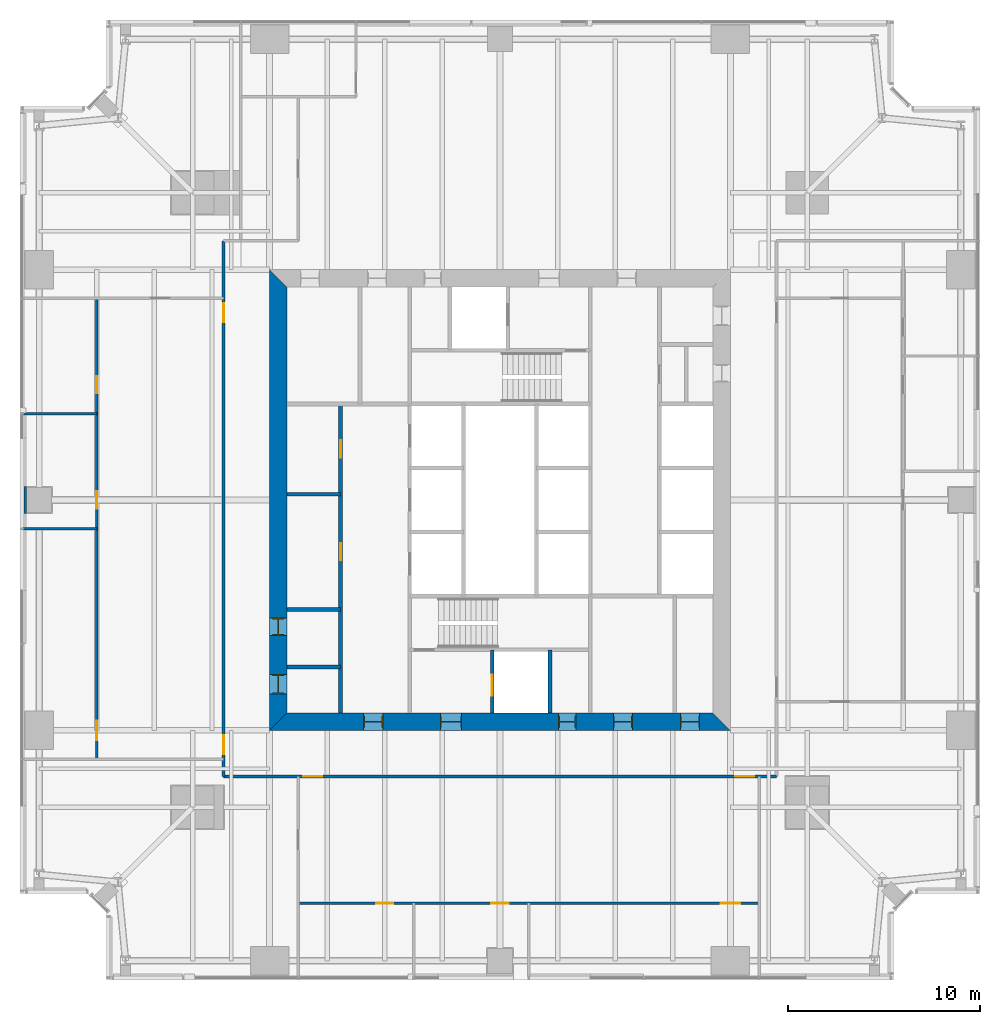
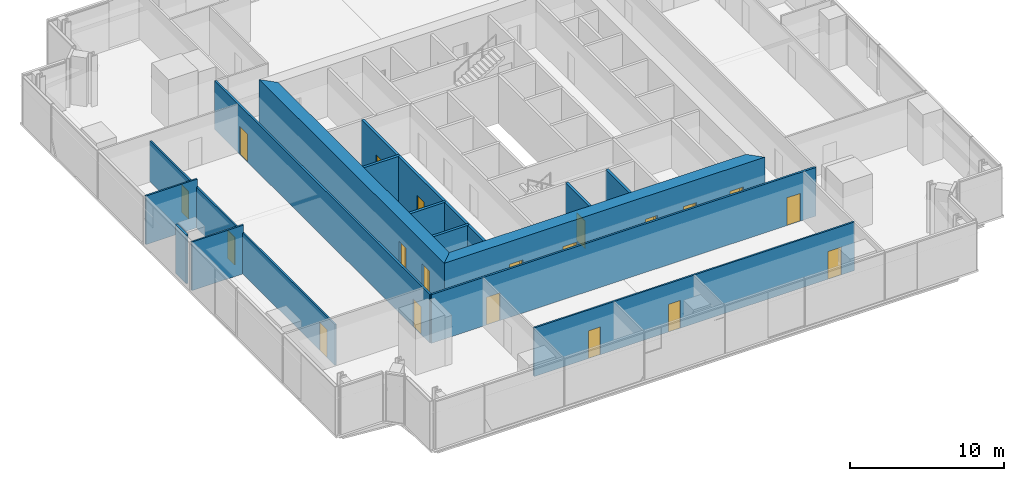
# One storey, part 9 of 13: 20 doors, 15 walls, 20 openings.
"""IFC4 building model written with IfcOpenShell, lengths in metres."""

from ifc_helpers import new_model, si_unit, direction, frame, frame_2d, origin, place, context, subcontext, project, spatial, polyline, rectangle, outline, extrude, material, layer, layer_set, type_object, element, fill, save


model = new_model("IFC4")

# Units and contexts
model_context = context("Model", 3, precision=1e-05, world=origin(), true_north=direction((0.0, 1.0)))
body_context = subcontext(model_context, "Body", "Model", "MODEL_VIEW")
ifc_project = project(units=[si_unit("LENGTHUNIT", "METRE"), si_unit("AREAUNIT", "SQUARE_METRE"), si_unit("VOLUMEUNIT", "CUBIC_METRE"), si_unit("PLANEANGLEUNIT", "RADIAN"), si_unit("MASSUNIT", "GRAM", prefix="KILO")], contexts=[model_context])

# Site, building, storey
site_placement = place(None, origin())
site = spatial("IfcSite", under=ifc_project, at=site_placement, CompositionType="ELEMENT")
building_placement = place(site_placement, origin())
building = spatial("IfcBuilding", under=site, at=building_placement, Name="Fenwick Lantern Interchange", CompositionType="ELEMENT")
storey_placement = place(building_placement, frame((0.0, 0.0, 142.39990234375)))
storey = spatial("IfcBuildingStorey", under=building, at=storey_placement, Name="L33", CompositionType="ELEMENT", Elevation=142.39990234375)

# Wall
ifc_material_1 = material(Name="Fire-rated gypsum board encasement on steel studs, 2 hour", Category="steel")
ifc_layer_1 = layer(ifc_material_1, 1.39990234375)
ifc_layer_set_1 = layer_set([ifc_layer_1], Name="COLUMN PIER 1400")
wall_type_1 = type_object("IfcWallType", Name="COLUMN PIER 1400", PredefinedType="PARTITIONING", material=ifc_layer_set_1)
wall_1_placement = place(storey_placement, frame((0.199951171875, 25.0, 0.0), z_axis=(0.0, 0.0, 1.0), x_axis=(1.0, 0.0, 0.0)))
element("IfcWall", 1, at=wall_1_placement, inside=storey, type_object=wall_type_1, Name="L33/W/PIER/CW3", PredefinedType="PARTITIONING", context=body_context, shape_type="SweptSolid", body=[
    extrude(rectangle(XDim=0.150146484375, YDim=1.39990234375, at=frame_2d((0.0751953125, 0.0))), origin(), (0.0, 0.0, 1.0), 3.85009765625),
])

# Wall, openings, doors
ifc_material_2 = material(Name="Concrete masonry ASTM C90 Grade N", Category="masonry")
ifc_layer_2 = layer(ifc_material_2, 0.199951171875)
ifc_layer_set_2 = layer_set([ifc_layer_2], Name="Concrete masonry ASTM C90 Grade N")
wall_type_2 = type_object("IfcWallType", Name="CORE PARTITION 200", PredefinedType="PARTITIONING", material=ifc_layer_set_2)
wall_2_placement = place(storey_placement, frame((16.699951171875, 13.89990234375, 0.0), z_axis=(0.0, 0.0, 1.0), x_axis=(0.0, 1.0, 0.0)))
wall_2 = element("IfcWall", 2, at=wall_2_placement, inside=storey, type_object=wall_type_2, Name="L33/W/CORES/a", PredefinedType="PARTITIONING", context=body_context, shape_type="SweptSolid", body=[
    extrude(rectangle(XDim=16.10009765625, YDim=0.199951171875, at=frame_2d((8.050048828125, 0.0))), origin(), (0.0, 0.0, 1.0), 3.800048828125),
])
opening_1_placement = place(wall_2_placement, frame((7.949951171875, 0.0, 0.0)))
opening_1 = element("IfcOpeningElement", 3, at=opening_1_placement, cuts=wall_2, Name="Opening L33-D009", PredefinedType="OPENING", context=body_context, shape_type="SweptSolid", body=[
    extrude(rectangle(XDim=0.89990234375, YDim=2.199951171875, at=frame_2d((0.449951171875, 1.10009765625))), frame((0.0, 0.10986328125, 0.0), z_axis=(0.0, -1.0, 0.0), x_axis=(1.0, 0.0, 0.0)), (0.0, 0.0, 1.0), 0.219970703125),
])
opening_2_placement = place(wall_2_placement, frame((13.300048828125, 0.0, 0.0)))
opening_2 = element("IfcOpeningElement", 4, at=opening_2_placement, cuts=wall_2, Name="Opening L33-D010", PredefinedType="OPENING", context=body_context, shape_type="SweptSolid", body=[
    extrude(rectangle(XDim=0.89990234375, YDim=2.199951171875, at=frame_2d((0.449951171875, 1.10009765625))), frame((0.0, 0.10986328125, 0.0), z_axis=(0.0, -1.0, 0.0), x_axis=(1.0, 0.0, 0.0)), (0.0, 0.0, 1.0), 0.219970703125),
])
ifc_material_3 = material(Name="Steel door and frame", Category="steel")
door_type_1 = type_object("IfcDoorType", Name="SERVICE DOOR 900 X 2200", OperationType="SINGLE_SWING_LEFT", PredefinedType="DOOR", material=ifc_material_3)
door_1_placement = place(opening_1_placement, origin())
door_1 = element("IfcDoor", 5, at=door_1_placement, inside=storey, type_object=door_type_1, Name="Service door", OperationType="SINGLE_SWING_LEFT", OverallHeight=2.199951171875, OverallWidth=0.89990234375, PredefinedType="DOOR", context=body_context, shape_type="SweptSolid", body=[
    extrude(rectangle(XDim=0.89990234375, YDim=2.199951171875, at=frame_2d((0.449951171875, 1.10009765625))), frame((0.0, 0.02490234375, 0.0), z_axis=(0.0, -1.0, 0.0), x_axis=(1.0, 0.0, 0.0)), (0.0, 0.0, 1.0), 0.050048828125),
])
fill(opening_1, door_1)
door_2_placement = place(opening_2_placement, origin())
door_2 = element("IfcDoor", 6, at=door_2_placement, inside=storey, type_object=door_type_1, Name="Service door", OperationType="SINGLE_SWING_LEFT", OverallHeight=2.199951171875, OverallWidth=0.89990234375, PredefinedType="DOOR", context=body_context, shape_type="SweptSolid", body=[
    extrude(rectangle(XDim=0.89990234375, YDim=2.199951171875, at=frame_2d((0.449951171875, 1.10009765625))), frame((0.0, 0.02490234375, 0.0), z_axis=(0.0, -1.0, 0.0), x_axis=(1.0, 0.0, 0.0)), (0.0, 0.0, 1.0), 0.050048828125),
])
fill(opening_2, door_2)

# Wall, opening, door
wall_3_placement = place(storey_placement, frame((24.60009765625, 13.89990234375, 0.0), z_axis=(0.0, 0.0, 1.0), x_axis=(0.0, 1.0, 0.0)))
wall_3 = element("IfcWall", 7, at=wall_3_placement, inside=storey, type_object=wall_type_2, Name="L33/W/CORES/h1", PredefinedType="PARTITIONING", context=body_context, shape_type="SweptSolid", body=[
    extrude(rectangle(XDim=3.300048828125, YDim=0.199951171875, at=frame_2d((1.64990234375, 0.0))), origin(), (0.0, 0.0, 1.0), 3.800048828125),
])
opening_3_placement = place(wall_3_placement, frame((0.89990234375, 0.0, 0.0)))
opening_3 = element("IfcOpeningElement", 8, at=opening_3_placement, cuts=wall_3, Name="Opening LD-FL1", PredefinedType="OPENING", context=body_context, shape_type="SweptSolid", body=[
    extrude(rectangle(XDim=1.10009765625, YDim=2.199951171875, at=frame_2d((0.550048828125, 1.10009765625))), frame((0.0, 0.10986328125, 0.0), z_axis=(0.0, -1.0, 0.0), x_axis=(1.0, 0.0, 0.0)), (0.0, 0.0, 1.0), 0.219970703125),
])
door_type_2 = type_object("IfcDoorType", Name="LIFT LANDING DOOR 1100 X 2200", OperationType="DOUBLE_DOOR_SLIDING", PredefinedType="DOOR", material=ifc_material_3)
door_3_placement = place(opening_3_placement, origin())
door_3 = element("IfcDoor", 9, at=door_3_placement, inside=storey, type_object=door_type_2, Name="Lift landing door FL1", OperationType="DOUBLE_DOOR_SLIDING", OverallHeight=2.199951171875, OverallWidth=1.10009765625, PredefinedType="DOOR", context=body_context, shape_type="SweptSolid", body=[
    extrude(rectangle(XDim=1.10009765625, YDim=2.199951171875, at=frame_2d((0.550048828125, 1.10009765625))), frame((0.0, 0.02490234375, 0.0), z_axis=(0.0, -1.0, 0.0), x_axis=(1.0, 0.0, 0.0)), (0.0, 0.0, 1.0), 0.050048828125),
])
fill(opening_3, door_3)

# Walls
wall_4_placement = place(storey_placement, frame((27.60009765625, 13.89990234375, 0.0), z_axis=(0.0, 0.0, 1.0), x_axis=(0.0, 1.0, 0.0)))
element("IfcWall", 10, at=wall_4_placement, inside=storey, type_object=wall_type_2, Name="L33/W/CORES/h2", PredefinedType="PARTITIONING", context=body_context, shape_type="SweptSolid", body=[
    extrude(rectangle(XDim=3.300048828125, YDim=0.199951171875, at=frame_2d((1.64990234375, 0.0))), origin(), (0.0, 0.0, 1.0), 3.800048828125),
])
for number, where, z_axis, x_axis, name in (
    (11, (13.89990234375, 16.300048828125, 0.0), (0.0, 0.0, 1.0), (1.0, 0.0, 0.0), "L33/W/CORES/p1"),
    (12, (13.89990234375, 19.300048828125, 0.0), (0.0, 0.0, 1.0), (1.0, 0.0, 0.0), "L33/W/CORES/p2"),
    (13, (13.89990234375, 25.300048828125, 0.0), (0.0, 0.0, 1.0), (1.0, 0.0, 0.0), "L33/W/CORES/p3"),
):
    element("IfcWall", number, at=place(storey_placement, frame(where, z_axis=z_axis, x_axis=x_axis)), inside=storey, type_object=wall_type_2, Name=name, PredefinedType="PARTITIONING", context=body_context, shape_type="SweptSolid", body=[
        extrude(rectangle(XDim=2.800048828125, YDim=0.199951171875, at=frame_2d((1.39990234375, 0.0))), origin(), (0.0, 0.0, 1.0), 3.800048828125),
    ])

# Wall, openings, doors
ifc_material_4 = material(Name="Concrete f'c 70 MPa", Category="concrete")
ifc_layer_3 = layer(ifc_material_4, 0.89990234375)
ifc_layer_set_3 = layer_set([ifc_layer_3], Name="CORE WALL 900")
wall_type_3 = type_object("IfcWallType", Name="CORE WALL 900", PredefinedType="SHEAR", material=ifc_layer_set_3)
wall_5_placement = place(storey_placement, frame((13.0, 13.449951171875, 0.0), z_axis=(0.0, 0.0, 1.0), x_axis=(1.0, 0.0, 0.0)))
wall_5 = element("IfcWall", 14, at=wall_5_placement, inside=storey, type_object=wall_type_3, Name="L33/CORE/S", PredefinedType="SHEAR", context=body_context, shape_type="SweptSolid", body=[
    extrude(outline(polyline([(0.0, -0.449951171875), (24.0, -0.449951171875), (23.10009765625, 0.449951171875), (0.89990234375, 0.449951171875), (0.0, -0.449951171875)])), origin(), (0.0, 0.0, 1.0), 4.0),
])
opening_4_placement = place(wall_5_placement, frame((4.89990234375, 0.0, 0.0)))
opening_4 = element("IfcOpeningElement", 15, at=opening_4_placement, cuts=wall_5, Name="Opening L33-D001", PredefinedType="OPENING", context=body_context, shape_type="SweptSolid", body=[
    extrude(rectangle(XDim=1.0, YDim=2.199951171875, at=frame_2d((0.5, 1.10009765625))), frame((0.0, 0.4599609375, 0.0), z_axis=(0.0, -1.0, 0.0), x_axis=(1.0, 0.0, 0.0)), (0.0, 0.0, 1.0), 0.919921875),
])
opening_5_placement = place(wall_5_placement, frame((8.89990234375, 0.0, 0.0)))
opening_5 = element("IfcOpeningElement", 16, at=opening_5_placement, cuts=wall_5, Name="Opening L33-D002", PredefinedType="OPENING", context=body_context, shape_type="SweptSolid", body=[
    extrude(rectangle(XDim=1.10009765625, YDim=2.199951171875, at=frame_2d((0.550048828125, 1.10009765625))), frame((0.0, 0.4599609375, 0.0), z_axis=(0.0, -1.0, 0.0), x_axis=(1.0, 0.0, 0.0)), (0.0, 0.0, 1.0), 0.919921875),
])
opening_6_placement = place(wall_5_placement, frame((15.050048828125, 0.0, 0.0)))
opening_6 = element("IfcOpeningElement", 17, at=opening_6_placement, cuts=wall_5, Name="Opening L33-D004", PredefinedType="OPENING", context=body_context, shape_type="SweptSolid", body=[
    extrude(rectangle(XDim=0.89990234375, YDim=2.199951171875, at=frame_2d((0.449951171875, 1.10009765625))), frame((0.0, 0.4599609375, 0.0), z_axis=(0.0, -1.0, 0.0), x_axis=(1.0, 0.0, 0.0)), (0.0, 0.0, 1.0), 0.919921875),
])
opening_7_placement = place(wall_5_placement, frame((17.89990234375, 0.0, 0.0)))
opening_7 = element("IfcOpeningElement", 18, at=opening_7_placement, cuts=wall_5, Name="Opening L33-D005", PredefinedType="OPENING", context=body_context, shape_type="SweptSolid", body=[
    extrude(rectangle(XDim=1.0, YDim=2.199951171875, at=frame_2d((0.5, 1.10009765625))), frame((0.0, 0.4599609375, 0.0), z_axis=(0.0, -1.0, 0.0), x_axis=(1.0, 0.0, 0.0)), (0.0, 0.0, 1.0), 0.919921875),
])
opening_8_placement = place(wall_5_placement, frame((21.39990234375, 0.0, 0.0)))
opening_8 = element("IfcOpeningElement", 19, at=opening_8_placement, cuts=wall_5, Name="Opening L33-D006", PredefinedType="OPENING", context=body_context, shape_type="SweptSolid", body=[
    extrude(rectangle(XDim=1.0, YDim=2.199951171875, at=frame_2d((0.5, 1.10009765625))), frame((0.0, 0.4599609375, 0.0), z_axis=(0.0, -1.0, 0.0), x_axis=(1.0, 0.0, 0.0)), (0.0, 0.0, 1.0), 0.919921875),
])
door_type_3 = type_object("IfcDoorType", Name="CORE LOBBY DOOR 1000 X 2200", OperationType="SINGLE_SWING_LEFT", PredefinedType="DOOR", material=ifc_material_3)
door_4_placement = place(opening_4_placement, origin())
door_4 = element("IfcDoor", 20, at=door_4_placement, inside=storey, type_object=door_type_3, Name="Core lobby door", OperationType="SINGLE_SWING_LEFT", OverallHeight=2.199951171875, OverallWidth=1.0, PredefinedType="DOOR", context=body_context, shape_type="SweptSolid", body=[
    extrude(rectangle(XDim=1.0, YDim=2.199951171875, at=frame_2d((0.5, 1.10009765625))), frame((0.0, 0.02490234375, 0.0), z_axis=(0.0, -1.0, 0.0), x_axis=(1.0, 0.0, 0.0)), (0.0, 0.0, 1.0), 0.050048828125),
    extrude(outline(polyline([(0.0, 0.0), (0.0400390625, 0.0), (0.0400390625, 2.159912109375), (0.9599609375, 2.159912109375), (0.9599609375, 0.0), (1.0, 0.0), (1.0, 2.199951171875), (0.0, 2.199951171875), (0.0, 0.0)])), frame((0.0, 0.300048828125, 0.0), z_axis=(0.0, -1.0, 0.0), x_axis=(1.0, 0.0, 0.0)), (0.0, 0.0, 1.0), 0.60009765625),
])
fill(opening_4, door_4)
door_type_4 = type_object("IfcDoorType", Name="FIRE LOBBY DOOR 1100 X 2200", OperationType="SINGLE_SWING_LEFT", PredefinedType="DOOR", material=ifc_material_3)
door_5_placement = place(opening_5_placement, origin())
door_5 = element("IfcDoor", 21, at=door_5_placement, inside=storey, type_object=door_type_4, Name="Fire lobby door", OperationType="SINGLE_SWING_LEFT", OverallHeight=2.199951171875, OverallWidth=1.10009765625, PredefinedType="DOOR", context=body_context, shape_type="SweptSolid", body=[
    extrude(rectangle(XDim=1.10009765625, YDim=2.199951171875, at=frame_2d((0.550048828125, 1.10009765625))), frame((0.0, 0.02490234375, 0.0), z_axis=(0.0, -1.0, 0.0), x_axis=(1.0, 0.0, 0.0)), (0.0, 0.0, 1.0), 0.050048828125),
    extrude(outline(polyline([(0.0, 0.0), (0.0400390625, 0.0), (0.0400390625, 2.159912109375), (1.06005859375, 2.159912109375), (1.06005859375, 0.0), (1.10009765625, 0.0), (1.10009765625, 2.199951171875), (0.0, 2.199951171875), (0.0, 0.0)])), frame((0.0, 0.300048828125, 0.0), z_axis=(0.0, -1.0, 0.0), x_axis=(1.0, 0.0, 0.0)), (0.0, 0.0, 1.0), 0.60009765625),
])
fill(opening_5, door_5)
door_6_placement = place(opening_6_placement, origin())
door_6 = element("IfcDoor", 22, at=door_6_placement, inside=storey, type_object=door_type_1, Name="Service door", OperationType="SINGLE_SWING_LEFT", OverallHeight=2.199951171875, OverallWidth=0.89990234375, PredefinedType="DOOR", context=body_context, shape_type="SweptSolid", body=[
    extrude(rectangle(XDim=0.89990234375, YDim=2.199951171875, at=frame_2d((0.449951171875, 1.10009765625))), frame((0.0, 0.02490234375, 0.0), z_axis=(0.0, -1.0, 0.0), x_axis=(1.0, 0.0, 0.0)), (0.0, 0.0, 1.0), 0.050048828125),
    extrude(outline(polyline([(0.0, 0.0), (0.0400390625, 0.0), (0.0400390625, 2.159912109375), (0.85986328125, 2.159912109375), (0.85986328125, 0.0), (0.89990234375, 0.0), (0.89990234375, 2.199951171875), (0.0, 2.199951171875), (0.0, 0.0)])), frame((0.0, 0.300048828125, 0.0), z_axis=(0.0, -1.0, 0.0), x_axis=(1.0, 0.0, 0.0)), (0.0, 0.0, 1.0), 0.60009765625),
])
fill(opening_6, door_6)
ifc_material_5 = material(Name="Hardwood door and steel frame", Category="steel")
door_type_5 = type_object("IfcDoorType", Name="WC DOOR 1000 X 2200", OperationType="SINGLE_SWING_LEFT", PredefinedType="DOOR", material=ifc_material_5)
door_7_placement = place(opening_7_placement, origin())
door_7 = element("IfcDoor", 23, at=door_7_placement, inside=storey, type_object=door_type_5, Name="Wc door", OperationType="SINGLE_SWING_LEFT", OverallHeight=2.199951171875, OverallWidth=1.0, PredefinedType="DOOR", context=body_context, shape_type="SweptSolid", body=[
    extrude(rectangle(XDim=1.0, YDim=2.199951171875, at=frame_2d((0.5, 1.10009765625))), frame((0.0, 0.02490234375, 0.0), z_axis=(0.0, -1.0, 0.0), x_axis=(1.0, 0.0, 0.0)), (0.0, 0.0, 1.0), 0.050048828125),
    extrude(outline(polyline([(0.0, 0.0), (0.0400390625, 0.0), (0.0400390625, 2.159912109375), (0.9599609375, 2.159912109375), (0.9599609375, 0.0), (1.0, 0.0), (1.0, 2.199951171875), (0.0, 2.199951171875), (0.0, 0.0)])), frame((0.0, 0.300048828125, 0.0), z_axis=(0.0, -1.0, 0.0), x_axis=(1.0, 0.0, 0.0)), (0.0, 0.0, 1.0), 0.60009765625),
])
fill(opening_7, door_7)
door_8_placement = place(opening_8_placement, origin())
door_8 = element("IfcDoor", 24, at=door_8_placement, inside=storey, type_object=door_type_5, Name="Wc door", OperationType="SINGLE_SWING_LEFT", OverallHeight=2.199951171875, OverallWidth=1.0, PredefinedType="DOOR", context=body_context, shape_type="SweptSolid", body=[
    extrude(rectangle(XDim=1.0, YDim=2.199951171875, at=frame_2d((0.5, 1.10009765625))), frame((0.0, 0.02490234375, 0.0), z_axis=(0.0, -1.0, 0.0), x_axis=(1.0, 0.0, 0.0)), (0.0, 0.0, 1.0), 0.050048828125),
    extrude(outline(polyline([(0.0, 0.0), (0.0400390625, 0.0), (0.0400390625, 2.159912109375), (0.9599609375, 2.159912109375), (0.9599609375, 0.0), (1.0, 0.0), (1.0, 2.199951171875), (0.0, 2.199951171875), (0.0, 0.0)])), frame((0.0, 0.300048828125, 0.0), z_axis=(0.0, -1.0, 0.0), x_axis=(1.0, 0.0, 0.0)), (0.0, 0.0, 1.0), 0.60009765625),
])
fill(opening_8, door_8)

wall_6_placement = place(storey_placement, frame((13.449951171875, 36.10009765625, 0.0), z_axis=(0.0, 0.0, 1.0), x_axis=(0.0, -1.0, 0.0)))
wall_6 = element("IfcWall", 25, at=wall_6_placement, inside=storey, type_object=wall_type_3, Name="L33/CORE/W", PredefinedType="SHEAR", context=body_context, shape_type="SweptSolid", body=[
    extrude(outline(polyline([(-0.89990234375, -0.449951171875), (23.10009765625, -0.449951171875), (22.199951171875, 0.449951171875), (0.0, 0.449951171875), (-0.89990234375, -0.449951171875)])), origin(), (0.0, 0.0, 1.0), 4.0),
])
opening_9_placement = place(wall_6_placement, frame((20.199951171875, 0.0, 0.0)))
opening_9 = element("IfcOpeningElement", 26, at=opening_9_placement, cuts=wall_6, Name="Opening L33-D007", PredefinedType="OPENING", context=body_context, shape_type="SweptSolid", body=[
    extrude(rectangle(XDim=1.0, YDim=2.199951171875, at=frame_2d((0.5, 1.10009765625))), frame((0.0, 0.4599609375, 0.0), z_axis=(0.0, -1.0, 0.0), x_axis=(1.0, 0.0, 0.0)), (0.0, 0.0, 1.0), 0.919921875),
])
opening_10_placement = place(wall_6_placement, frame((17.25, 0.0, 0.0)))
opening_10 = element("IfcOpeningElement", 27, at=opening_10_placement, cuts=wall_6, Name="Opening L33-D008", PredefinedType="OPENING", context=body_context, shape_type="SweptSolid", body=[
    extrude(rectangle(XDim=0.89990234375, YDim=2.199951171875, at=frame_2d((0.449951171875, 1.10009765625))), frame((0.0, 0.4599609375, 0.0), z_axis=(0.0, -1.0, 0.0), x_axis=(1.0, 0.0, 0.0)), (0.0, 0.0, 1.0), 0.919921875),
])
door_9_placement = place(opening_10_placement, origin())
door_9 = element("IfcDoor", 28, at=door_9_placement, inside=storey, type_object=door_type_1, Name="Service door", OperationType="SINGLE_SWING_LEFT", OverallHeight=2.199951171875, OverallWidth=0.89990234375, PredefinedType="DOOR", context=body_context, shape_type="SweptSolid", body=[
    extrude(rectangle(XDim=0.89990234375, YDim=2.199951171875, at=frame_2d((0.449951171875, 1.10009765625))), frame((0.0, 0.02490234375, 0.0), z_axis=(0.0, -1.0, 0.0), x_axis=(1.0, 0.0, 0.0)), (0.0, 0.0, 1.0), 0.050048828125),
    extrude(outline(polyline([(0.0, 0.0), (0.0400390625, 0.0), (0.0400390625, 2.159912109375), (0.85986328125, 2.159912109375), (0.85986328125, 0.0), (0.89990234375, 0.0), (0.89990234375, 2.199951171875), (0.0, 2.199951171875), (0.0, 0.0)])), frame((0.0, 0.300048828125, 0.0), z_axis=(0.0, -1.0, 0.0), x_axis=(1.0, 0.0, 0.0)), (0.0, 0.0, 1.0), 0.60009765625),
])
fill(opening_10, door_9)
door_10_placement = place(opening_9_placement, origin())
door_10 = element("IfcDoor", 29, at=door_10_placement, inside=storey, type_object=door_type_5, Name="Wc door", OperationType="SINGLE_SWING_LEFT", OverallHeight=2.199951171875, OverallWidth=1.0, PredefinedType="DOOR", context=body_context, shape_type="SweptSolid", body=[
    extrude(rectangle(XDim=1.0, YDim=2.199951171875, at=frame_2d((0.5, 1.10009765625))), frame((0.0, 0.02490234375, 0.0), z_axis=(0.0, -1.0, 0.0), x_axis=(1.0, 0.0, 0.0)), (0.0, 0.0, 1.0), 0.050048828125),
    extrude(outline(polyline([(0.0, 0.0), (0.0400390625, 0.0), (0.0400390625, 2.159912109375), (0.9599609375, 2.159912109375), (0.9599609375, 0.0), (1.0, 0.0), (1.0, 2.199951171875), (0.0, 2.199951171875), (0.0, 0.0)])), frame((0.0, 0.300048828125, 0.0), z_axis=(0.0, -1.0, 0.0), x_axis=(1.0, 0.0, 0.0)), (0.0, 0.0, 1.0), 0.60009765625),
])
fill(opening_9, door_10)

ifc_material_6 = material(Name="Gypsum board on steel studs, 1 hour", Category="steel")
ifc_layer_4 = layer(ifc_material_6, 0.14990234375)
ifc_layer_set_4 = layer_set([ifc_layer_4], Name="CORRIDOR WALL 150")
wall_type_4 = type_object("IfcWallType", Name="CORRIDOR WALL 150", PredefinedType="PARTITIONING", material=ifc_layer_set_4)
wall_7_placement = place(storey_placement, frame((10.60009765625, 10.60009765625, 0.0), z_axis=(0.0, 0.0, 1.0), x_axis=(1.0, 0.0, 0.0)))
wall_7 = element("IfcWall", 30, at=wall_7_placement, inside=storey, type_object=wall_type_4, Name="L33/W/OFF/S/CW2", PredefinedType="PARTITIONING", context=body_context, shape_type="SweptSolid", body=[
    extrude(rectangle(XDim=28.7998046875, YDim=0.14990234375, at=frame_2d((14.39990234375, 0.0))), origin(), (0.0, 0.0, 1.0), 3.85009765625),
])
opening_11_placement = place(wall_7_placement, frame((4.14990234375, 0.0, 0.0)))
opening_11 = element("IfcOpeningElement", 31, at=opening_11_placement, cuts=wall_7, Name="Opening L33-D020", PredefinedType="OPENING", context=body_context, shape_type="SweptSolid", body=[
    extrude(rectangle(XDim=1.0, YDim=2.199951171875, at=frame_2d((0.5, 1.10009765625))), frame((0.0, 0.0849609375, 0.0), z_axis=(0.0, -1.0, 0.0), x_axis=(1.0, 0.0, 0.0)), (0.0, 0.0, 1.0), 0.169921875),
])
opening_12_placement = place(wall_7_placement, frame((26.64990234375, 0.0, 0.0)))
opening_12 = element("IfcOpeningElement", 32, at=opening_12_placement, cuts=wall_7, Name="Opening L33-D021", PredefinedType="OPENING", context=body_context, shape_type="SweptSolid", body=[
    extrude(rectangle(XDim=1.0, YDim=2.199951171875, at=frame_2d((0.5, 1.10009765625))), frame((0.0, 0.0849609375, 0.0), z_axis=(0.0, -1.0, 0.0), x_axis=(1.0, 0.0, 0.0)), (0.0, 0.0, 1.0), 0.169921875),
])
door_type_6 = type_object("IfcDoorType", Name="SUITE ENTRANCE DOOR 1000 X 2200", OperationType="SINGLE_SWING_LEFT", PredefinedType="DOOR", material=ifc_material_3)
door_11_placement = place(opening_11_placement, origin())
door_11 = element("IfcDoor", 33, at=door_11_placement, inside=storey, type_object=door_type_6, Name="Suite entrance door", OperationType="SINGLE_SWING_LEFT", OverallHeight=2.199951171875, OverallWidth=1.0, PredefinedType="DOOR", context=body_context, shape_type="SweptSolid", body=[
    extrude(rectangle(XDim=1.0, YDim=2.199951171875, at=frame_2d((0.5, 1.10009765625))), frame((0.0, 0.02490234375, 0.0), z_axis=(0.0, -1.0, 0.0), x_axis=(1.0, 0.0, 0.0)), (0.0, 0.0, 1.0), 0.050048828125),
])
fill(opening_11, door_11)
door_12_placement = place(opening_12_placement, origin())
door_12 = element("IfcDoor", 34, at=door_12_placement, inside=storey, type_object=door_type_6, Name="Suite entrance door", OperationType="SINGLE_SWING_RIGHT", OverallHeight=2.199951171875, OverallWidth=1.0, PredefinedType="DOOR", context=body_context, shape_type="SweptSolid", body=[
    extrude(rectangle(XDim=1.0, YDim=2.199951171875, at=frame_2d((0.5, 1.10009765625))), frame((0.0, 0.02490234375, 0.0), z_axis=(0.0, -1.0, 0.0), x_axis=(1.0, 0.0, 0.0)), (0.0, 0.0, 1.0), 0.050048828125),
])
fill(opening_12, door_12)

wall_8_placement = place(storey_placement, frame((10.60009765625, 38.5, 0.0), z_axis=(0.0, 0.0, 1.0), x_axis=(0.0, -1.0, 0.0)))
wall_8 = element("IfcWall", 35, at=wall_8_placement, inside=storey, type_object=wall_type_4, Name="L33/W/OFF/W/CW2", PredefinedType="PARTITIONING", context=body_context, shape_type="SweptSolid", body=[
    extrude(rectangle(XDim=27.89990234375, YDim=0.14990234375, at=frame_2d((13.949951171875, 0.0))), origin(), (0.0, 0.0, 1.0), 3.85009765625),
])
opening_13_placement = place(wall_8_placement, frame((3.25, 0.0, 0.0)))
opening_13 = element("IfcOpeningElement", 36, at=opening_13_placement, cuts=wall_8, Name="Opening L33-D035", PredefinedType="OPENING", context=body_context, shape_type="SweptSolid", body=[
    extrude(rectangle(XDim=1.0, YDim=2.199951171875, at=frame_2d((0.5, 1.10009765625))), frame((0.0, 0.0849609375, 0.0), z_axis=(0.0, -1.0, 0.0), x_axis=(1.0, 0.0, 0.0)), (0.0, 0.0, 1.0), 0.169921875),
])
opening_14_placement = place(wall_8_placement, frame((25.75, 0.0, 0.0)))
opening_14 = element("IfcOpeningElement", 37, at=opening_14_placement, cuts=wall_8, Name="Opening L33-D036", PredefinedType="OPENING", context=body_context, shape_type="SweptSolid", body=[
    extrude(rectangle(XDim=1.0, YDim=2.199951171875, at=frame_2d((0.5, 1.10009765625))), frame((0.0, 0.0849609375, 0.0), z_axis=(0.0, -1.0, 0.0), x_axis=(1.0, 0.0, 0.0)), (0.0, 0.0, 1.0), 0.169921875),
])
door_13_placement = place(opening_13_placement, origin())
door_13 = element("IfcDoor", 38, at=door_13_placement, inside=storey, type_object=door_type_6, Name="Suite entrance door", OperationType="SINGLE_SWING_LEFT", OverallHeight=2.199951171875, OverallWidth=1.0, PredefinedType="DOOR", context=body_context, shape_type="SweptSolid", body=[
    extrude(rectangle(XDim=1.0, YDim=2.199951171875, at=frame_2d((0.5, 1.10009765625))), frame((0.0, 0.02490234375, 0.0), z_axis=(0.0, -1.0, 0.0), x_axis=(1.0, 0.0, 0.0)), (0.0, 0.0, 1.0), 0.050048828125),
])
fill(opening_13, door_13)
door_14_placement = place(opening_14_placement, origin())
door_14 = element("IfcDoor", 39, at=door_14_placement, inside=storey, type_object=door_type_6, Name="Suite entrance door", OperationType="SINGLE_SWING_RIGHT", OverallHeight=2.199951171875, OverallWidth=1.0, PredefinedType="DOOR", context=body_context, shape_type="SweptSolid", body=[
    extrude(rectangle(XDim=1.0, YDim=2.199951171875, at=frame_2d((0.5, 1.10009765625))), frame((0.0, 0.02490234375, 0.0), z_axis=(0.0, -1.0, 0.0), x_axis=(1.0, 0.0, 0.0)), (0.0, 0.0, 1.0), 0.050048828125),
])
fill(opening_14, door_14)

ifc_material_7 = material(Name="Gypsum board on steel studs, acoustic", Category="steel")
ifc_layer_5 = layer(ifc_material_7, 0.125)
ifc_layer_set_5 = layer_set([ifc_layer_5], Name="OFFICE PARTITION 125")
wall_type_5 = type_object("IfcWallType", Name="OFFICE PARTITION 125", PredefinedType="PARTITIONING", material=ifc_layer_set_5)
wall_9_placement = place(storey_placement, frame((14.5, 4.0, 0.0), z_axis=(0.0, 0.0, 1.0), x_axis=(1.0, 0.0, 0.0)))
wall_9 = element("IfcWall", 40, at=wall_9_placement, inside=storey, type_object=wall_type_5, Name="L33/W/OFF/S/Y40-1", PredefinedType="PARTITIONING", context=body_context, shape_type="SweptSolid", body=[
    extrude(rectangle(XDim=24.0, YDim=0.125, at=frame_2d((12.0, 0.0))), origin(), (0.0, 0.0, 1.0), 3.85009765625),
])
opening_15_placement = place(wall_9_placement, frame((4.050048828125, 0.0, 0.0)))
opening_15 = element("IfcOpeningElement", 41, at=opening_15_placement, cuts=wall_9, Name="Opening L33-D023", PredefinedType="OPENING", context=body_context, shape_type="SweptSolid", body=[
    extrude(rectangle(XDim=0.89990234375, YDim=2.199951171875, at=frame_2d((0.449951171875, 1.10009765625))), frame((0.0, 0.072509765625, 0.0), z_axis=(0.0, -1.0, 0.0), x_axis=(1.0, 0.0, 0.0)), (0.0, 0.0, 1.0), 0.14501953125),
])
opening_16_placement = place(wall_9_placement, frame((10.050048828125, 0.0, 0.0)))
opening_16 = element("IfcOpeningElement", 42, at=opening_16_placement, cuts=wall_9, Name="Opening L33-D024", PredefinedType="OPENING", context=body_context, shape_type="SweptSolid", body=[
    extrude(rectangle(XDim=0.89990234375, YDim=2.199951171875, at=frame_2d((0.449951171875, 1.10009765625))), frame((0.0, 0.072509765625, 0.0), z_axis=(0.0, -1.0, 0.0), x_axis=(1.0, 0.0, 0.0)), (0.0, 0.0, 1.0), 0.14501953125),
])
opening_17_placement = place(wall_9_placement, frame((22.0, 0.0, 0.0)))
opening_17 = element("IfcOpeningElement", 43, at=opening_17_placement, cuts=wall_9, Name="Opening L33-D025", PredefinedType="OPENING", context=body_context, shape_type="SweptSolid", body=[
    extrude(rectangle(XDim=1.0, YDim=2.199951171875, at=frame_2d((0.5, 1.10009765625))), frame((0.0, 0.072509765625, 0.0), z_axis=(0.0, -1.0, 0.0), x_axis=(1.0, 0.0, 0.0)), (0.0, 0.0, 1.0), 0.14501953125),
])
door_type_7 = type_object("IfcDoorType", Name="MEETING ROOM DOOR 1000 X 2200", OperationType="SINGLE_SWING_LEFT", PredefinedType="DOOR", material=ifc_material_5)
door_15_placement = place(opening_17_placement, frame((1.0, 0.0, 0.0), z_axis=(0.0, 0.0, 1.0), x_axis=(-1.0, 0.0, 0.0)))
door_15 = element("IfcDoor", 44, at=door_15_placement, inside=storey, type_object=door_type_7, Name="Meeting room door", OperationType="SINGLE_SWING_LEFT", OverallHeight=2.199951171875, OverallWidth=1.0, PredefinedType="DOOR", context=body_context, shape_type="SweptSolid", body=[
    extrude(rectangle(XDim=1.0, YDim=2.199951171875, at=frame_2d((0.5, 1.10009765625))), frame((0.0, 0.02490234375, 0.0), z_axis=(0.0, -1.0, 0.0), x_axis=(1.0, 0.0, 0.0)), (0.0, 0.0, 1.0), 0.050048828125),
])
fill(opening_17, door_15)
door_type_8 = type_object("IfcDoorType", Name="OFFICE DOOR 900 X 2200", OperationType="SINGLE_SWING_LEFT", PredefinedType="DOOR", material=ifc_material_5)
door_16_placement = place(opening_15_placement, frame((0.89990234375, 0.0, 0.0), z_axis=(0.0, 0.0, 1.0), x_axis=(-1.0, 0.0, 0.0)))
door_16 = element("IfcDoor", 45, at=door_16_placement, inside=storey, type_object=door_type_8, Name="Office door", OperationType="SINGLE_SWING_LEFT", OverallHeight=2.199951171875, OverallWidth=0.89990234375, PredefinedType="DOOR", context=body_context, shape_type="SweptSolid", body=[
    extrude(rectangle(XDim=0.89990234375, YDim=2.199951171875, at=frame_2d((0.449951171875, 1.10009765625))), frame((0.0, 0.02490234375, 0.0), z_axis=(0.0, -1.0, 0.0), x_axis=(1.0, 0.0, 0.0)), (0.0, 0.0, 1.0), 0.050048828125),
])
fill(opening_15, door_16)
door_17_placement = place(opening_16_placement, frame((0.89990234375, 0.0, 0.0), z_axis=(0.0, 0.0, 1.0), x_axis=(-1.0, 0.0, 0.0)))
door_17 = element("IfcDoor", 46, at=door_17_placement, inside=storey, type_object=door_type_8, Name="Office door", OperationType="SINGLE_SWING_LEFT", OverallHeight=2.199951171875, OverallWidth=0.89990234375, PredefinedType="DOOR", context=body_context, shape_type="SweptSolid", body=[
    extrude(rectangle(XDim=0.89990234375, YDim=2.199951171875, at=frame_2d((0.449951171875, 1.10009765625))), frame((0.0, 0.02490234375, 0.0), z_axis=(0.0, -1.0, 0.0), x_axis=(1.0, 0.0, 0.0)), (0.0, 0.0, 1.0), 0.050048828125),
])
fill(opening_16, door_17)

# Walls
for number, where, z_axis, x_axis, name in (
    (47, (0.14990234375, 29.5, 0.0), (0.0, 0.0, 1.0), (1.0, 0.0, 0.0), "L33/W/OFF/W/X205-1"),
    (48, (0.14990234375, 23.5, 0.0), (0.0, 0.0, 1.0), (1.0, 0.0, 0.0), "L33/W/OFF/W/X265-1"),
):
    element("IfcWall", number, at=place(storey_placement, frame(where, z_axis=z_axis, x_axis=x_axis)), inside=storey, type_object=wall_type_5, Name=name, PredefinedType="PARTITIONING", context=body_context, shape_type="SweptSolid", body=[
        extrude(rectangle(XDim=3.85009765625, YDim=0.125, at=frame_2d((1.925048828125, 0.0))), origin(), (0.0, 0.0, 1.0), 3.85009765625),
    ])

# Wall, openings, doors
wall_10_placement = place(storey_placement, frame((4.0, 35.5, 0.0), z_axis=(0.0, 0.0, 1.0), x_axis=(0.0, -1.0, 0.0)))
wall_10 = element("IfcWall", 49, at=wall_10_placement, inside=storey, type_object=wall_type_5, Name="L33/W/OFF/W/Y40-1", PredefinedType="PARTITIONING", context=body_context, shape_type="SweptSolid", body=[
    extrude(rectangle(XDim=24.0, YDim=0.125, at=frame_2d((12.0, 0.0))), origin(), (0.0, 0.0, 1.0), 3.238037109375),
])
opening_18_placement = place(wall_10_placement, frame((4.050048828125, 0.0, 0.0)))
opening_18 = element("IfcOpeningElement", 50, at=opening_18_placement, cuts=wall_10, Name="Opening L33-D038", PredefinedType="OPENING", context=body_context, shape_type="SweptSolid", body=[
    extrude(rectangle(XDim=0.89990234375, YDim=2.199951171875, at=frame_2d((0.449951171875, 1.10009765625))), frame((0.0, 0.072509765625, 0.0), z_axis=(0.0, -1.0, 0.0), x_axis=(1.0, 0.0, 0.0)), (0.0, 0.0, 1.0), 0.14501953125),
])
opening_19_placement = place(wall_10_placement, frame((10.050048828125, 0.0, 0.0)))
opening_19 = element("IfcOpeningElement", 51, at=opening_19_placement, cuts=wall_10, Name="Opening L33-D039", PredefinedType="OPENING", context=body_context, shape_type="SweptSolid", body=[
    extrude(rectangle(XDim=0.89990234375, YDim=2.199951171875, at=frame_2d((0.449951171875, 1.10009765625))), frame((0.0, 0.072509765625, 0.0), z_axis=(0.0, -1.0, 0.0), x_axis=(1.0, 0.0, 0.0)), (0.0, 0.0, 1.0), 0.14501953125),
])
opening_20_placement = place(wall_10_placement, frame((22.0, 0.0, 0.0)))
opening_20 = element("IfcOpeningElement", 52, at=opening_20_placement, cuts=wall_10, Name="Opening L33-D040", PredefinedType="OPENING", context=body_context, shape_type="SweptSolid", body=[
    extrude(rectangle(XDim=1.0, YDim=2.199951171875, at=frame_2d((0.5, 1.10009765625))), frame((0.0, 0.072509765625, 0.0), z_axis=(0.0, -1.0, 0.0), x_axis=(1.0, 0.0, 0.0)), (0.0, 0.0, 1.0), 0.14501953125),
])
door_18_placement = place(opening_20_placement, frame((1.0, 0.0, 0.0), z_axis=(0.0, 0.0, 1.0), x_axis=(-1.0, 0.0, 0.0)))
door_18 = element("IfcDoor", 53, at=door_18_placement, inside=storey, type_object=door_type_7, Name="Meeting room door", OperationType="SINGLE_SWING_LEFT", OverallHeight=2.199951171875, OverallWidth=1.0, PredefinedType="DOOR", context=body_context, shape_type="SweptSolid", body=[
    extrude(rectangle(XDim=1.0, YDim=2.199951171875, at=frame_2d((0.5, 1.10009765625))), frame((0.0, 0.02490234375, 0.0), z_axis=(0.0, -1.0, 0.0), x_axis=(1.0, 0.0, 0.0)), (0.0, 0.0, 1.0), 0.050048828125),
])
fill(opening_20, door_18)
door_19_placement = place(opening_18_placement, frame((0.89990234375, 0.0, 0.0), z_axis=(0.0, 0.0, 1.0), x_axis=(-1.0, 0.0, 0.0)))
door_19 = element("IfcDoor", 54, at=door_19_placement, inside=storey, type_object=door_type_8, Name="Office door", OperationType="SINGLE_SWING_LEFT", OverallHeight=2.199951171875, OverallWidth=0.89990234375, PredefinedType="DOOR", context=body_context, shape_type="SweptSolid", body=[
    extrude(rectangle(XDim=0.89990234375, YDim=2.199951171875, at=frame_2d((0.449951171875, 1.10009765625))), frame((0.0, 0.02490234375, 0.0), z_axis=(0.0, -1.0, 0.0), x_axis=(1.0, 0.0, 0.0)), (0.0, 0.0, 1.0), 0.050048828125),
])
fill(opening_18, door_19)
door_20_placement = place(opening_19_placement, frame((0.89990234375, 0.0, 0.0), z_axis=(0.0, 0.0, 1.0), x_axis=(-1.0, 0.0, 0.0)))
door_20 = element("IfcDoor", 55, at=door_20_placement, inside=storey, type_object=door_type_8, Name="Office door", OperationType="SINGLE_SWING_LEFT", OverallHeight=2.199951171875, OverallWidth=0.89990234375, PredefinedType="DOOR", context=body_context, shape_type="SweptSolid", body=[
    extrude(rectangle(XDim=0.89990234375, YDim=2.199951171875, at=frame_2d((0.449951171875, 1.10009765625))), frame((0.0, 0.02490234375, 0.0), z_axis=(0.0, -1.0, 0.0), x_axis=(1.0, 0.0, 0.0)), (0.0, 0.0, 1.0), 0.050048828125),
])
fill(opening_19, door_20)

save(model, "model.ifc")
